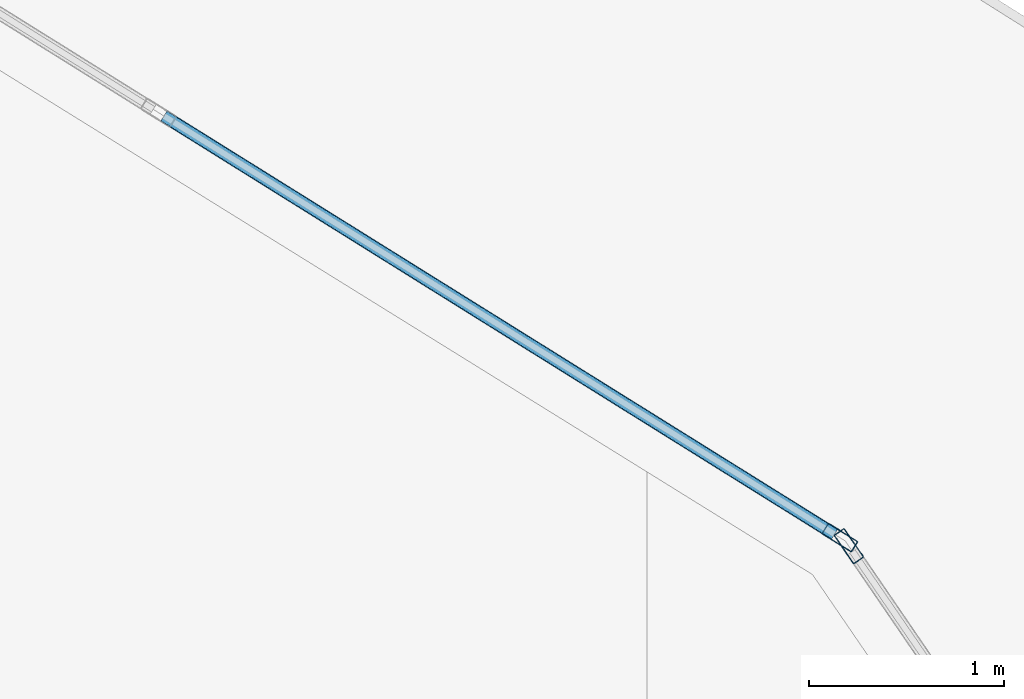
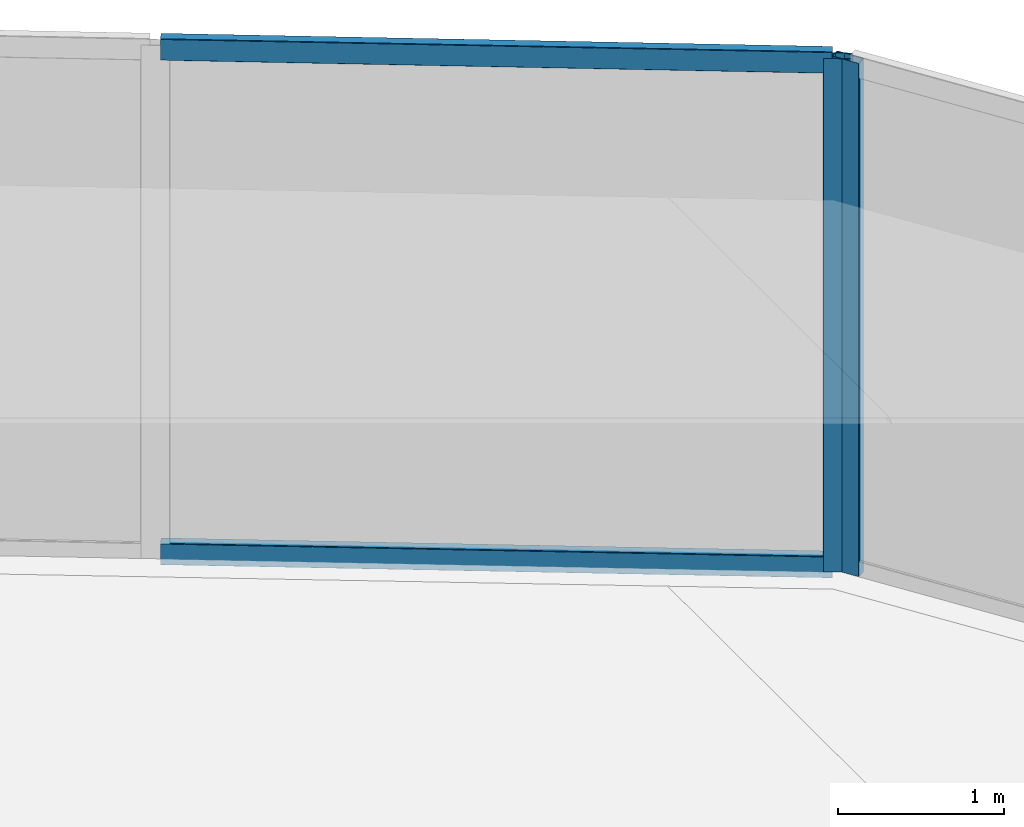
# One storey, part 23 of 37: 4 members, 2 elements without a shape of their own.
"""IFC4 building model written with IfcOpenShell, lengths in metres."""

from ifc_helpers import new_model, si_unit, direction, frame, origin, origin_2d, place, context, subcontext, project, spatial, hollow_rectangle, extrude, material, layer, layer_set, material_profile, profile_set, type_object, element, aggregate, save


model = new_model("IFC4")

# Units and contexts
model_context = context("Model", 3, precision=1e-05, world=origin(), true_north=direction((0.0, 1.0)))
body_context = subcontext(model_context, "Body", "Model", "MODEL_VIEW")
ifc_project = project(units=[si_unit("LENGTHUNIT", "METRE"), si_unit("AREAUNIT", "SQUARE_METRE"), si_unit("VOLUMEUNIT", "CUBIC_METRE"), si_unit("PLANEANGLEUNIT", "RADIAN"), si_unit("MASSUNIT", "GRAM", prefix="KILO")], contexts=[model_context])

# Site, building, storey
site_placement = place(None, origin())
site = spatial("IfcSite", under=ifc_project, at=site_placement, CompositionType="ELEMENT")
building_placement = place(site_placement, origin())
building = spatial("IfcBuilding", under=site, at=building_placement, Name="Qorvath Tower", CompositionType="ELEMENT")
storey_placement = place(building_placement, frame((0.0, 0.0, 196.949951171875)))
storey = spatial("IfcBuildingStorey", under=building, at=storey_placement, Name="L45", CompositionType="ELEMENT", Elevation=196.949951171875)

# Curtain wall, member
ifc_material_1 = material(Name="Anodised aluminium and triple low-E glass", Category="aluminium")
ifc_layer = layer(ifc_material_1, 0.179931640625)
ifc_layer_set = layer_set([ifc_layer], Name="CW-SYS-3")
curtain_wall_type = type_object("IfcCurtainWallType", Name="CW-SYS-3", PredefinedType="NOTDEFINED", material=ifc_layer_set)
curtain_wall_1_placement = place(storey_placement, origin())
curtain_wall_1 = element("IfcCurtainWall", 1, at=curtain_wall_1_placement, inside=storey, type_object=curtain_wall_type, Name="Curtain Wall CW-3 CW-T-L45-13.1", PredefinedType="NOTDEFINED")
ifc_material_2 = material(Name="Anodised aluminium 6063-T6", Category="aluminium")
ifc_material_profile_1 = material_profile(ifc_material_2, hollow_rectangle(XDim=0.06494140625, YDim=0.179931640625, WallThickness=0.00341796875, InnerFilletRadius=0.00341796875, OuterFilletRadius=0.007080078125, at=origin_2d()), Name="CWM 180x65")
ifc_profile_set_1 = profile_set([ifc_material_profile_1], Name="Anodised aluminium 6063-T6")
member_type_1 = type_object("IfcMemberType", Name="CWM-180", PredefinedType="MULLION", material=ifc_profile_set_1)
member_1_placement = place(storey_placement, frame((-5.712890625, 21.366943359375, 0.0), z_axis=(0.0, 0.0, 1.0), x_axis=(-0.825424850974, -0.56451201528, 0.0)))
member_1 = element("IfcMember", 2, at=member_1_placement, type_object=member_type_1, Name="CW-3 mullion 2", PredefinedType="MULLION", context=body_context, shape_type="SweptSolid", body=[
    extrude(hollow_rectangle(XDim=0.06494140625, YDim=0.179931640625, WallThickness=0.00341796875, InnerFilletRadius=0.00341796875, OuterFilletRadius=0.007080078125, at=origin_2d()), origin(), (0.0, 0.0, 1.0), 3.780029296875),
])
aggregate(curtain_wall_1, [member_1])

# Curtain wall, members
curtain_wall_2_placement = place(storey_placement, origin())
curtain_wall_2 = element("IfcCurtainWall", 3, at=curtain_wall_2_placement, inside=storey, type_object=curtain_wall_type, Name="Curtain Wall CW-3 CW-T-L45-14.1", PredefinedType="NOTDEFINED")
member_2_placement = place(storey_placement, frame((-5.7587890625, 21.410888671875, 0.0), z_axis=(0.0, 0.0, 1.0), x_axis=(-0.529206179006, -0.848493264618, 0.0)))
member_2 = element("IfcMember", 4, at=member_2_placement, type_object=member_type_1, Name="CW-3 mullion 1", PredefinedType="MULLION", context=body_context, shape_type="SweptSolid", body=[
    extrude(hollow_rectangle(XDim=0.06494140625, YDim=0.179931640625, WallThickness=0.00341796875, InnerFilletRadius=0.00341796875, OuterFilletRadius=0.007080078125, at=origin_2d()), origin(), (0.0, 0.0, 1.0), 3.780029296875),
])
ifc_material_3 = material(Name="Anodised aluminium 6063-T6", Category="aluminium")
ifc_material_profile_2 = material_profile(ifc_material_3, hollow_rectangle(XDim=0.06494140625, YDim=0.159912109375, WallThickness=0.00341796875, InnerFilletRadius=0.00341796875, OuterFilletRadius=0.007080078125, at=origin_2d()), Name="CWT 160x65")
ifc_profile_set_2 = profile_set([ifc_material_profile_2], Name="Anodised aluminium 6063-T6")
member_type_2 = type_object("IfcMemberType", Name="CWT-160", PredefinedType="USERDEFINED", material=ifc_profile_set_2)
member_3_placement = place(storey_placement, frame((-5.786376953125, 21.42822265625, 0.032470703125), z_axis=(-0.848485179469, 0.529219141964, 0.0), x_axis=(-0.529219141964, -0.848485179469, 0.0)))
member_3 = element("IfcMember", 5, at=member_3_placement, type_object=member_type_2, Name="CW-3 transom 1.1", ObjectType="TRANSOM", PredefinedType="USERDEFINED", context=body_context, shape_type="SweptSolid", body=[
    extrude(hollow_rectangle(XDim=0.06494140625, YDim=0.159912109375, WallThickness=0.00341796875, InnerFilletRadius=0.00341796875, OuterFilletRadius=0.007080078125, at=origin_2d()), origin(), (0.0, 0.0, 1.0), 4.0537109375),
])
member_4_placement = place(storey_placement, frame((-5.786376953125, 21.42822265625, 3.74755859375), z_axis=(-0.848485179469, 0.529219141964, 0.0), x_axis=(-0.529219141964, -0.848485179469, 0.0)))
member_4 = element("IfcMember", 6, at=member_4_placement, type_object=member_type_2, Name="CW-3 transom 1.2", ObjectType="TRANSOM", PredefinedType="USERDEFINED", context=body_context, shape_type="SweptSolid", body=[
    extrude(hollow_rectangle(XDim=0.06494140625, YDim=0.159912109375, WallThickness=0.00341796875, InnerFilletRadius=0.00341796875, OuterFilletRadius=0.007080078125, at=origin_2d()), origin(), (0.0, 0.0, 1.0), 4.0537109375),
])
aggregate(curtain_wall_2, [member_2, member_3, member_4])

save(model, "model.ifc")
